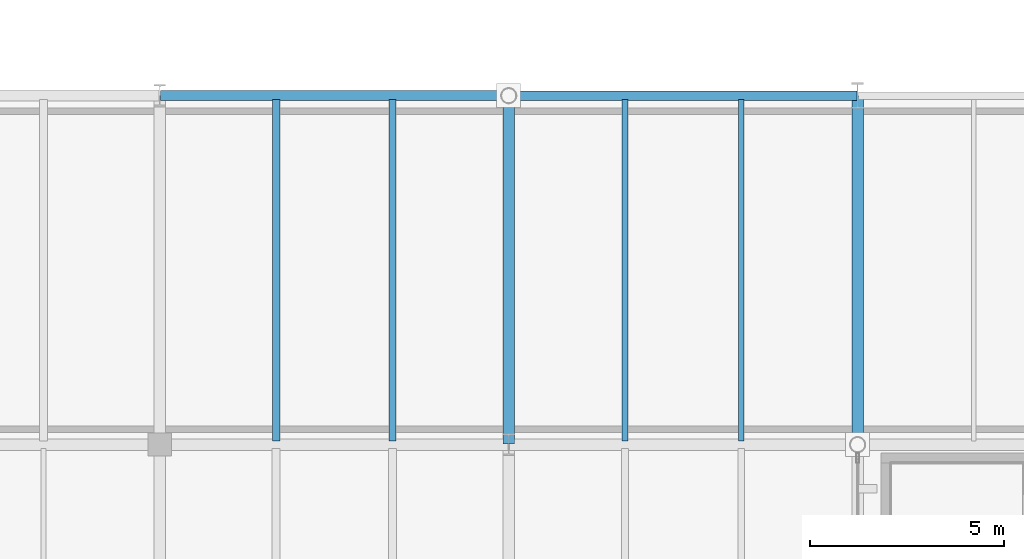
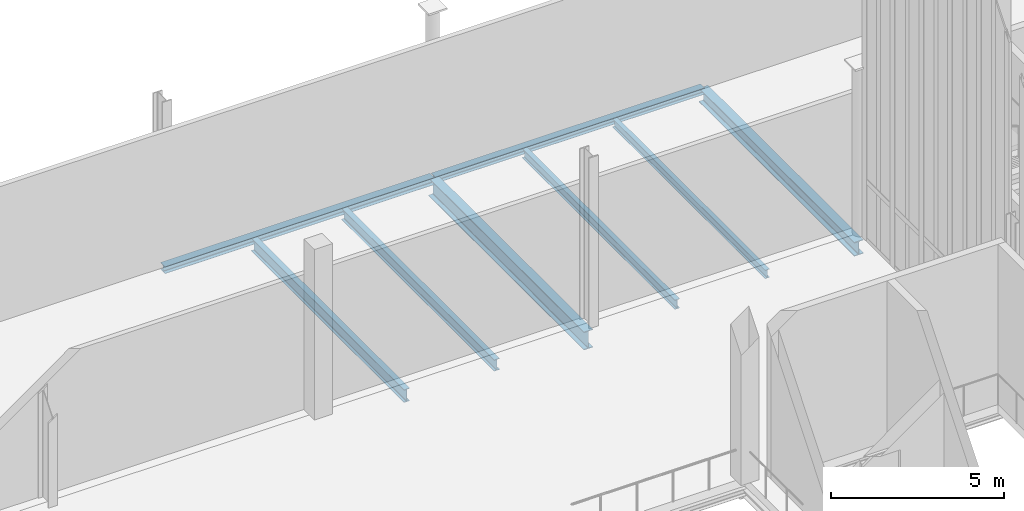
# One storey, part 73 of 237: 8 beams.
"""IFC4 building model written with IfcOpenShell, lengths in metres."""

from ifc_helpers import new_model, si_unit, direction, frame, origin, origin_2d, place, context, subcontext, project, spatial, i_section, extrude, material, material_profile, profile_set, type_object, element, save


model = new_model("IFC4")

# Units and contexts
model_context = context("Model", 3, precision=1e-05, world=origin(), true_north=direction((0.0, 1.0)))
body_context = subcontext(model_context, "Body", "Model", "MODEL_VIEW")
ifc_project = project(units=[si_unit("LENGTHUNIT", "METRE"), si_unit("AREAUNIT", "SQUARE_METRE"), si_unit("VOLUMEUNIT", "CUBIC_METRE"), si_unit("PLANEANGLEUNIT", "RADIAN"), si_unit("MASSUNIT", "GRAM", prefix="KILO")], contexts=[model_context])

# Site, building, storey
site_placement = place(None, origin())
site = spatial("IfcSite", under=ifc_project, at=site_placement, CompositionType="ELEMENT")
building_placement = place(site_placement, origin())
building = spatial("IfcBuilding", under=site, at=building_placement, Name="Barlavento Convention Centre", CompositionType="ELEMENT")
storey_placement = place(building_placement, frame((0.0, 0.0, 12.0)))
storey = spatial("IfcBuildingStorey", under=building, at=storey_placement, Name="L02", CompositionType="ELEMENT", Elevation=12.0)

# Beams
ifc_material = material(Name="Steel S355", Category="steel")
ifc_material_profile_1 = material_profile(ifc_material, i_section(OverallWidth=0.14990234375, OverallDepth=0.300048828125, WebThickness=0.007080078125, FlangeThickness=0.0107421875, FilletRadius=0.014892578125, at=origin_2d()), Name="IPE 300")
ifc_profile_set_1 = profile_set([ifc_material_profile_1], Name="Steel S355")
beam_type_1 = type_object("IfcBeamType", Name="STR-BM-JST-IPE300", PredefinedType="JOIST", material=ifc_profile_set_1)
beam_1_placement = place(storey_placement, frame((60.0, 54.094970703125, -0.449951171875), z_axis=(0.0, 1.0, 0.0), x_axis=(-1.0, 0.0, 0.0)))
element("IfcBeam", 1, at=beam_1_placement, inside=storey, type_object=beam_type_1, Name="L02 composite floor joist SJ07", PredefinedType="JOIST", context=body_context, shape_type="SweptSolid", body=[
    extrude(i_section(OverallWidth=0.14990234375, OverallDepth=0.300048828125, WebThickness=0.007080078125, FlangeThickness=0.0107421875, FilletRadius=0.014892578125, at=origin_2d()), origin(), (0.0, 0.0, 1.0), 8.81005859375),
])
ifc_material_profile_2 = material_profile(ifc_material, i_section(OverallWidth=0.159912109375, OverallDepth=0.330078125, WebThickness=0.007568359375, FlangeThickness=0.011474609375, FilletRadius=0.01806640625, at=origin_2d()), Name="IPE 330")
ifc_profile_set_2 = profile_set([ifc_material_profile_2], Name="Steel S355")
beam_type_2 = type_object("IfcBeamType", Name="STR-BM-JST-IPE330", PredefinedType="JOIST", material=ifc_profile_set_2)
beam_2_placement = place(storey_placement, frame((57.0, 54.094970703125, -0.465087890625), z_axis=(0.0, 1.0, 0.0), x_axis=(-1.0, 0.0, 0.0)))
element("IfcBeam", 2, at=beam_2_placement, inside=storey, type_object=beam_type_2, Name="L02 composite floor joist SJ06", PredefinedType="JOIST", context=body_context, shape_type="SweptSolid", body=[
    extrude(i_section(OverallWidth=0.159912109375, OverallDepth=0.330078125, WebThickness=0.007568359375, FlangeThickness=0.011474609375, FilletRadius=0.01806640625, at=origin_2d()), origin(), (0.0, 0.0, 1.0), 8.81005859375),
])
ifc_material_profile_3 = material_profile(ifc_material, i_section(OverallWidth=0.179931640625, OverallDepth=0.39990234375, WebThickness=0.008544921875, FlangeThickness=0.013427734375, FilletRadius=0.02099609375, at=origin_2d()), Name="IPE 400")
ifc_profile_set_3 = profile_set([ifc_material_profile_3], Name="Steel S355")
beam_type_3 = type_object("IfcBeamType", Name="STR-BM-JST-IPE400", PredefinedType="JOIST", material=ifc_profile_set_3)
beam_3_placement = place(storey_placement, frame((51.0, 54.094970703125, -0.5), z_axis=(0.0, 1.0, 0.0), x_axis=(-1.0, 0.0, 0.0)))
element("IfcBeam", 3, at=beam_3_placement, inside=storey, type_object=beam_type_3, Name="L02 composite floor joist SJ04", PredefinedType="JOIST", context=body_context, shape_type="SweptSolid", body=[
    extrude(i_section(OverallWidth=0.179931640625, OverallDepth=0.39990234375, WebThickness=0.008544921875, FlangeThickness=0.013427734375, FilletRadius=0.02099609375, at=origin_2d()), origin(), (0.0, 0.0, 1.0), 8.81005859375),
])
ifc_material_profile_4 = material_profile(ifc_material, i_section(OverallWidth=0.18994140625, OverallDepth=0.449951171875, WebThickness=0.009521484375, FlangeThickness=0.0146484375, FilletRadius=0.02099609375, at=origin_2d()), Name="IPE 450")
ifc_profile_set_4 = profile_set([ifc_material_profile_4], Name="Steel S355")
beam_type_4 = type_object("IfcBeamType", Name="STR-BM-JST-IPE450", PredefinedType="JOIST", material=ifc_profile_set_4)
beam_4_placement = place(storey_placement, frame((48.0, 54.094970703125, -0.52490234375), z_axis=(0.0, 1.0, 0.0), x_axis=(-1.0, 0.0, 0.0)))
element("IfcBeam", 4, at=beam_4_placement, inside=storey, type_object=beam_type_4, Name="L02 composite floor joist SJ03", PredefinedType="JOIST", context=body_context, shape_type="SweptSolid", body=[
    extrude(i_section(OverallWidth=0.18994140625, OverallDepth=0.449951171875, WebThickness=0.009521484375, FlangeThickness=0.0146484375, FilletRadius=0.02099609375, at=origin_2d()), origin(), (0.0, 0.0, 1.0), 8.81005859375),
])
ifc_material_profile_5 = material_profile(ifc_material, i_section(OverallWidth=0.300048828125, OverallDepth=0.489990234375, WebThickness=0.011962890625, FlangeThickness=0.02294921875, FilletRadius=0.027099609375, at=origin_2d()), Name="HEA 500")
ifc_profile_set_5 = profile_set([ifc_material_profile_5], Name="Steel S355")
beam_type_5 = type_object("IfcBeamType", Name="STR-BM-PRI-HEA500", PredefinedType="BEAM", material=ifc_profile_set_5)
beam_5_placement = place(storey_placement, frame((63.0, 54.02001953125, -0.544921875), z_axis=(0.0, 1.0, 0.0), x_axis=(-1.0, 0.0, 0.0)))
element("IfcBeam", 5, at=beam_5_placement, inside=storey, type_object=beam_type_5, Name="L02 grid girder BG20", PredefinedType="BEAM", context=body_context, shape_type="SweptSolid", body=[
    extrude(i_section(OverallWidth=0.300048828125, OverallDepth=0.489990234375, WebThickness=0.011962890625, FlangeThickness=0.02294921875, FilletRadius=0.027099609375, at=origin_2d()), origin(), (0.0, 0.0, 1.0), 8.9599609375),
])
ifc_material_profile_6 = material_profile(ifc_material, i_section(OverallWidth=0.300048828125, OverallDepth=0.639892578125, WebThickness=0.013427734375, FlangeThickness=0.02587890625, FilletRadius=0.027099609375, at=origin_2d()), Name="HEA 650")
ifc_profile_set_6 = profile_set([ifc_material_profile_6], Name="Steel S355")
beam_type_6 = type_object("IfcBeamType", Name="STR-BM-PRI-HEA650", PredefinedType="BEAM", material=ifc_profile_set_6)
beam_6_placement = place(storey_placement, frame((54.0, 54.02001953125, -0.6201171875), z_axis=(0.0, 1.0, 0.0), x_axis=(-1.0, 0.0, 0.0)))
element("IfcBeam", 6, at=beam_6_placement, inside=storey, type_object=beam_type_6, Name="L02 grid girder BG17", PredefinedType="BEAM", context=body_context, shape_type="SweptSolid", body=[
    extrude(i_section(OverallWidth=0.300048828125, OverallDepth=0.639892578125, WebThickness=0.013427734375, FlangeThickness=0.02587890625, FilletRadius=0.027099609375, at=origin_2d()), origin(), (0.0, 0.0, 1.0), 8.9599609375),
])
ifc_material_profile_7 = material_profile(ifc_material, i_section(OverallWidth=0.239990234375, OverallDepth=0.22998046875, WebThickness=0.007568359375, FlangeThickness=0.011962890625, FilletRadius=0.02099609375, at=origin_2d()), Name="HEA 240")
ifc_profile_set_7 = profile_set([ifc_material_profile_7], Name="Steel S355")
beam_type_7 = type_object("IfcBeamType", Name="STR-BM-SPN-HEA240", PredefinedType="SPANDREL", material=ifc_profile_set_7)
beam_7_placement = place(storey_placement, frame((54.02001953125, 63.0, -0.39501953125), z_axis=(1.0, 0.0, 0.0), x_axis=(0.0, 1.0, 0.0)))
element("IfcBeam", 7, at=beam_7_placement, inside=storey, type_object=beam_type_7, Name="L02 primary girder SP05", PredefinedType="SPANDREL", context=body_context, shape_type="SweptSolid", body=[
    extrude(i_section(OverallWidth=0.239990234375, OverallDepth=0.22998046875, WebThickness=0.007568359375, FlangeThickness=0.011962890625, FilletRadius=0.02099609375, at=origin_2d()), origin(), (0.0, 0.0, 1.0), 8.9599609375),
])
ifc_material_profile_8 = material_profile(ifc_material, i_section(OverallWidth=0.260009765625, OverallDepth=0.25, WebThickness=0.007568359375, FlangeThickness=0.012451171875, FilletRadius=0.02392578125, at=origin_2d()), Name="HEA 260")
ifc_profile_set_8 = profile_set([ifc_material_profile_8], Name="Steel S355")
beam_type_8 = type_object("IfcBeamType", Name="STR-BM-SPN-HEA260", PredefinedType="SPANDREL", material=ifc_profile_set_8)
beam_8_placement = place(storey_placement, frame((45.02001953125, 63.0, -0.405029296875), z_axis=(1.0, 0.0, 0.0), x_axis=(0.0, 1.0, 0.0)))
element("IfcBeam", 8, at=beam_8_placement, inside=storey, type_object=beam_type_8, Name="L02 primary girder SP04", PredefinedType="SPANDREL", context=body_context, shape_type="SweptSolid", body=[
    extrude(i_section(OverallWidth=0.260009765625, OverallDepth=0.25, WebThickness=0.007568359375, FlangeThickness=0.012451171875, FilletRadius=0.02392578125, at=origin_2d()), origin(), (0.0, 0.0, 1.0), 8.9599609375),
])

save(model, "model.ifc")
